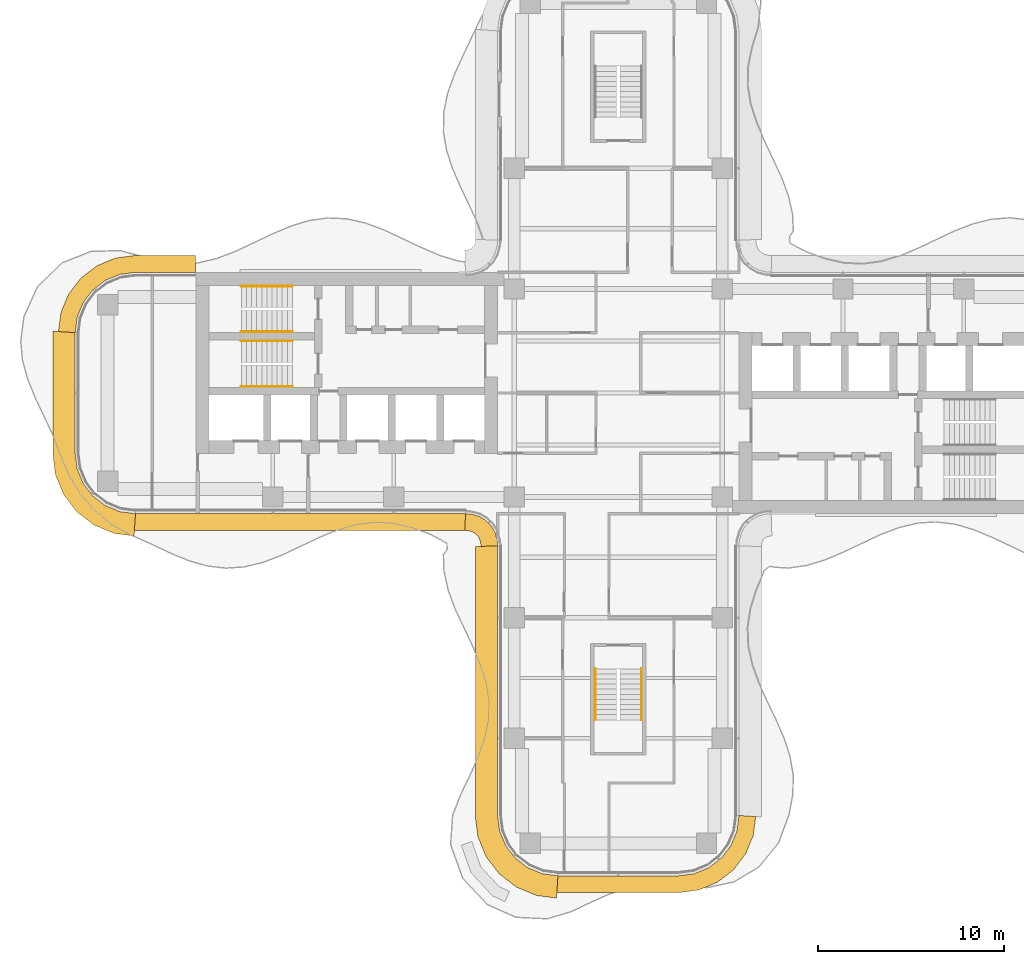
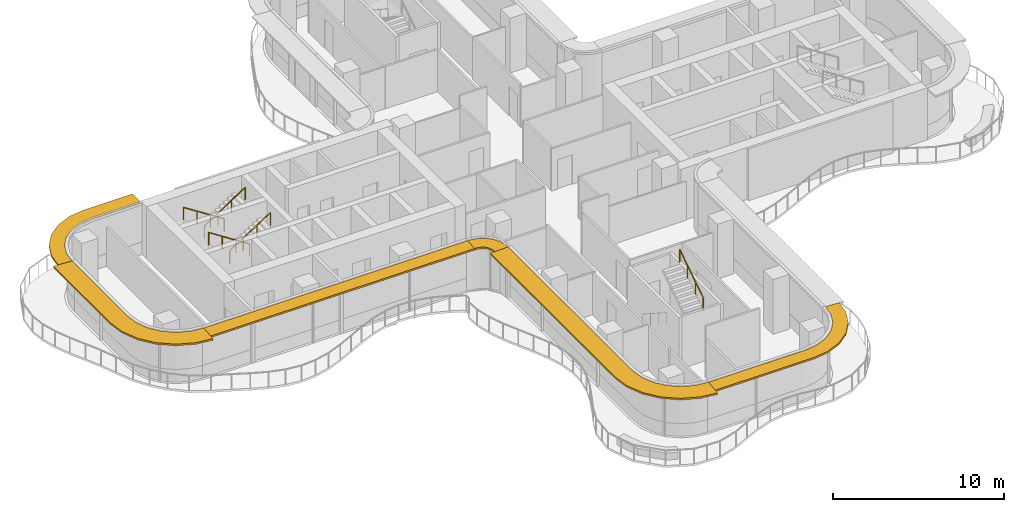
# One storey, part 16 of 17: 6 railings, 6 shading devices.
"""IFC4 building model written with IfcOpenShell, lengths in metres."""

import ifcopenshell
import ifcopenshell.guid

model = None  # the IFC model being written
_history = None  # IfcOwnerHistory: only IFC2X3 demands one
_inside = {}  # id of a spatial element -> (the spatial element, [elements in it])
_under = {}  # id of a project, library or spatial element -> (it, [spatial elements below it])
_declared = {}  # id of a project -> (the project, [libraries it declares])
_typed = {}  # id of a type object -> (the type object, [elements of that type])
_made_of = {}  # id of a material, layer set ... -> (it, [elements and type objects made of it])


def new_model(schema):
    """Start an empty IFC model of exactly this schema.

    Asked for "IFC4X3", IfcOpenShell would pick the latest addendum, in which some entities
    have other attributes; the version numbers below select the first issue.
    IFC2X3 requires an IfcOwnerHistory on every rooted entity: one is made here for all.
    """
    global model, _history
    if schema == "IFC4X3":
        model = ifcopenshell.file(schema_version=(4, 3, 0, 0))
    else:
        model = ifcopenshell.file(schema=schema)
    _inside.clear()
    _under.clear()
    _declared.clear()
    _typed.clear()
    _made_of.clear()
    _history = None
    if model.schema == "IFC2X3":
        org = make("IfcOrganization", Name="unknown")
        user = make(
            "IfcPersonAndOrganization",
            ThePerson=make("IfcPerson", FamilyName="unknown"),
            TheOrganization=org,
        )
        app = make(
            "IfcApplication",
            ApplicationDeveloper=org,
            Version="unknown",
            ApplicationFullName="unknown",
            ApplicationIdentifier="unknown",
        )
        _history = make(
            "IfcOwnerHistory",
            OwningUser=user,
            OwningApplication=app,
            ChangeAction="ADDED",
            CreationDate=0,
        )
    return model


def make(cls, **values):
    """One entity of the class cls with the attributes given. An attribute that is None is left unset."""
    return model.create_entity(
        cls, **{name: value for name, value in values.items() if value is not None}
    )


def rooted(cls, **values):
    """An entity with a GlobalId (a new one), such as an element, a storey or a relation."""
    return make(cls, GlobalId=ifcopenshell.guid.new(), OwnerHistory=_history, **values)


def si_unit(unit_type, name, prefix=None):
    """IfcSIUnit, for example si_unit("LENGTHUNIT", "METRE", prefix="MILLI")."""
    return make("IfcSIUnit", UnitType=unit_type, Prefix=prefix, Name=name)


def assignment(units):
    """IfcUnitAssignment: the units of a project."""
    return None if units is None else make("IfcUnitAssignment", Units=units)


def point(xyz):
    """IfcCartesianPoint."""
    return None if xyz is None else make("IfcCartesianPoint", Coordinates=xyz)


def direction(xyz):
    """IfcDirection."""
    return None if xyz is None else make("IfcDirection", DirectionRatios=xyz)


def frame(location, z_axis=None, x_axis=None):
    """IfcAxis2Placement3D, a coordinate frame: its origin and axes. An axis left out is left unset."""
    return make(
        "IfcAxis2Placement3D",
        Location=point(location),
        Axis=direction(z_axis),
        RefDirection=direction(x_axis),
    )


def frame_2d(location, x_axis=None):
    """IfcAxis2Placement2D, a coordinate frame in the plane: its origin and x axis."""
    return make(
        "IfcAxis2Placement2D", Location=point(location), RefDirection=direction(x_axis)
    )


def origin():
    """The frame at (0, 0, 0) with its axes left unset."""
    return frame((0.0, 0.0, 0.0))


def origin_2d():
    """The frame at (0, 0) in the plane with its x axis left unset."""
    return frame_2d((0.0, 0.0))


def place(relative_to, where):
    """IfcLocalPlacement: puts the frame where relative to a parent placement (None: the world)."""
    return make(
        "IfcLocalPlacement", PlacementRelTo=relative_to, RelativePlacement=where
    )


def context(
    kind, dimensions, precision=None, world=None, true_north=None, identifier=None
):
    """IfcGeometricRepresentationContext, for example the 3D "Model" context."""
    return make(
        "IfcGeometricRepresentationContext",
        ContextIdentifier=identifier,
        ContextType=kind,
        CoordinateSpaceDimension=dimensions,
        Precision=precision,
        WorldCoordinateSystem=world,
        TrueNorth=true_north,
    )


def subcontext(parent, identifier, kind, view, scale=None):
    """IfcGeometricRepresentationSubContext, for example "Body" below "Model"."""
    return make(
        "IfcGeometricRepresentationSubContext",
        ContextIdentifier=identifier,
        ContextType=kind,
        ParentContext=parent,
        TargetScale=scale,
        TargetView=view,
    )


def project(units=None, contexts=None):
    """IfcProject with its units and contexts."""
    return rooted(
        "IfcProject",
        Name="project",
        RepresentationContexts=contexts,
        UnitsInContext=assignment(units),
    )


def spatial(cls, under=None, at=None, **own):
    """A site, building, storey or space (cls), placed at a placement, below another one or the project."""
    s = rooted(cls, ObjectPlacement=at, **own)
    if under is not None:
        _under.setdefault(under.id(), (under, []))[1].append(s)
    return s


def polyline(points):
    """IfcPolyline through the points."""
    return make("IfcPolyline", Points=[point(p) for p in points])


def profile(cls, at=None, kind="AREA", **sizes):
    """A parametric profile (cls). Its sizes go by their IFC names, for example OverallWidth=200.0."""
    return make(cls, ProfileType=kind, Position=at, **sizes)


def circle(**sizes):
    """IfcCircleProfileDef."""
    return profile("IfcCircleProfileDef", **sizes)


def outline(outer, holes=None, kind="AREA"):
    """IfcArbitraryClosedProfileDef: a profile drawn as a closed curve; with holes, ...WithVoids."""
    if holes is None:
        return make("IfcArbitraryClosedProfileDef", ProfileType=kind, OuterCurve=outer)
    return make(
        "IfcArbitraryProfileDefWithVoids",
        ProfileType=kind,
        OuterCurve=outer,
        InnerCurves=holes,
    )


def extrude(swept, where, along, depth):
    """IfcExtrudedAreaSolid: the profile swept, set in the frame where, extruded along a direction by depth."""
    return make(
        "IfcExtrudedAreaSolid",
        SweptArea=swept,
        Position=where,
        ExtrudedDirection=direction(along),
        Depth=depth,
    )


def shape(context_of_items, identifier, shape_type, items):
    """IfcShapeRepresentation: the items that make up one representation, for example the "Body"."""
    return make(
        "IfcShapeRepresentation",
        ContextOfItems=context_of_items,
        RepresentationIdentifier=identifier,
        RepresentationType=shape_type,
        Items=items,
    )


def source(mapping_origin, context_of_items, identifier, shape_type, items):
    """IfcRepresentationMap: a shape defined once, which mapped items show again and again."""
    return make(
        "IfcRepresentationMap",
        MappingOrigin=mapping_origin,
        MappedRepresentation=shape(context_of_items, identifier, shape_type, items),
    )


def transform(
    local_origin,
    x_axis=None,
    y_axis=None,
    z_axis=None,
    scale=None,
    scale2=None,
    scale3=None,
    uniform=True,
):
    """IfcCartesianTransformationOperator3D, or its non-uniform kind. x_axis, y_axis, z_axis: its Axis1, 2, 3."""
    if uniform:
        return make(
            "IfcCartesianTransformationOperator3D",
            Axis1=direction(x_axis),
            Axis2=direction(y_axis),
            LocalOrigin=point(local_origin),
            Scale=scale,
            Axis3=direction(z_axis),
        )
    return make(
        "IfcCartesianTransformationOperator3DnonUniform",
        Axis1=direction(x_axis),
        Axis2=direction(y_axis),
        LocalOrigin=point(local_origin),
        Scale=scale,
        Axis3=direction(z_axis),
        Scale2=scale2,
        Scale3=scale3,
    )


def mapped(mapping_source, mapping_target):
    """IfcMappedItem: shows the shape of a source again, moved by a transform."""
    return make(
        "IfcMappedItem", MappingSource=mapping_source, MappingTarget=mapping_target
    )


def material(Name=None, Category=None):
    """IfcMaterial."""
    return make("IfcMaterial", Name=Name, Category=Category)


def layer(
    of_material, thickness, ventilated=None, Name=None, Category=None, Priority=None
):
    """IfcMaterialLayer: one layer of a wall or slab, of a material (None: an air gap)."""
    return make(
        "IfcMaterialLayer",
        Material=of_material,
        LayerThickness=thickness,
        IsVentilated=ventilated,
        Name=Name,
        Category=Category,
        Priority=Priority,
    )


def layer_set(layers, Name=None):
    """IfcMaterialLayerSet."""
    return make("IfcMaterialLayerSet", MaterialLayers=layers, LayerSetName=Name)


def made_of(thing, what):
    """Note that an element or type object is made of a material, layer set ...; save() writes the relation."""
    if what is not None:
        _made_of.setdefault(what.id(), (what, []))[1].append(thing)
    return thing


def type_object(cls, material=None, **own):
    """A type object (cls), such as IfcWallType, which elements share."""
    return made_of(rooted(cls, **own), material)


def element(
    cls,
    number,
    at=None,
    inside=None,
    cuts=None,
    type_object=None,
    material=None,
    context=None,
    identifier="Body",
    shape_type=None,
    held_by="IfcProductDefinitionShape",
    body=None,
    shapes=None,
    **own,
):
    """One element of the class cls, such as IfcWall. Its Tag is "e" and its number.

    at: its placement. inside: the storey or other place that contains it. cuts: it is an
    opening in that element (IfcRelVoidsElement). A single representation is given by context,
    identifier, shape_type and body (its items); several are given by shapes. held_by: the class
    of the entity that holds the representations. save() writes the other relations.
    """
    e = rooted(cls, Tag="e%d" % number, ObjectPlacement=at, **own)
    if body is not None:
        shapes = [shape(context, identifier, shape_type, body)]
    if shapes is not None:
        e.Representation = make(held_by, Representations=shapes)
    if inside is not None:
        _inside.setdefault(inside.id(), (inside, []))[1].append(e)
    if cuts is not None:
        rooted(
            "IfcRelVoidsElement", RelatingBuildingElement=cuts, RelatedOpeningElement=e
        )
    if type_object is not None:
        _typed.setdefault(type_object.id(), (type_object, []))[1].append(e)
    return made_of(e, material)


def aggregate(whole, parts):
    """IfcRelAggregates: a whole, such as a stair, and the parts it consists of."""
    return rooted("IfcRelAggregates", RelatingObject=whole, RelatedObjects=parts)


def save(model, path):
    """Write the relations noted so far, then the file.

    IfcRelAggregates (storeys below a building ...), IfcRelContainedInSpatialStructure (elements
    in a storey), IfcRelDefinesByType, IfcRelAssociatesMaterial and IfcRelDeclares: one each for
    every whole, place, type object, material and project.
    """
    for whole, parts in _under.values():
        aggregate(whole, parts)
    for where, things in _inside.values():
        rooted(
            "IfcRelContainedInSpatialStructure",
            RelatedElements=things,
            RelatingStructure=where,
        )
    for kind, things in _typed.values():
        rooted("IfcRelDefinesByType", RelatedObjects=things, RelatingType=kind)
    for what, things in _made_of.values():
        rooted("IfcRelAssociatesMaterial", RelatedObjects=things, RelatingMaterial=what)
    for by, libraries in _declared.values():
        rooted("IfcRelDeclares", RelatingContext=by, RelatedDefinitions=libraries)
    model.write(path)


model = new_model("IFC4")

# Units and contexts
model_context = context("Model", 3, precision=1e-05, world=origin(), true_north=direction((0.0, 1.0)))
body_context = subcontext(model_context, "Body", "Model", "MODEL_VIEW")
ifc_project = project(units=[si_unit("LENGTHUNIT", "METRE"), si_unit("AREAUNIT", "SQUARE_METRE"), si_unit("VOLUMEUNIT", "CUBIC_METRE"), si_unit("PLANEANGLEUNIT", "RADIAN"), si_unit("MASSUNIT", "GRAM", prefix="KILO")], contexts=[model_context])

# Site, building, storey
site_placement = place(None, origin())
site = spatial("IfcSite", under=ifc_project, at=site_placement, CompositionType="ELEMENT")
building_placement = place(site_placement, origin())
building = spatial("IfcBuilding", under=site, at=building_placement, Name="Trellis Farm Tower", CompositionType="ELEMENT")
storey_placement = place(building_placement, frame((0.0, 0.0, 232.39990234375)))
storey = spatial("IfcBuildingStorey", under=building, at=storey_placement, Name="L51", CompositionType="ELEMENT", Elevation=232.39990234375)

# Railings
ifc_material_1 = material(Name="Stainless steel", Category="steel")
railing_type = type_object("IfcRailingType", Name="STAIR HANDRAIL 900", PredefinedType="HANDRAIL", material=ifc_material_1)
shared_shape_1 = source(origin(), body_context, "Body", "SweptSolid", [
    extrude(circle(Radius=0.02392578125, at=origin_2d()), frame((0.0, 0.0, 0.8759765625), z_axis=(0.0, 0.840503830235, 0.541805602924), x_axis=(-1.0, 0.0, 0.0)), (0.0, 0.0, 1.0), 3.271728515625),
    extrude(circle(Radius=0.02099609375, at=origin_2d()), origin(), (0.0, 0.0, 1.0), 0.851806640625),
    extrude(circle(Radius=0.02099609375, at=origin_2d()), frame((0.0, 0.916748046875, 0.5908203125)), (0.0, 0.0, 1.0), 0.851806640625),
    extrude(circle(Radius=0.02099609375, at=origin_2d()), frame((0.0, 1.833251953125, 1.181884765625)), (0.0, 0.0, 1.0), 0.851806640625),
    extrude(circle(Radius=0.02099609375, at=origin_2d()), frame((0.0, 2.75, 1.772705078125)), (0.0, 0.0, 1.0), 0.851806640625),
])
railing_1_placement = place(storey_placement, frame((1.25, -17.60009765625, 2.12744140625)))
element("IfcRailing", 1, at=railing_1_placement, inside=storey, type_object=railing_type, Name="Stair handrail", PredefinedType="HANDRAIL", context=body_context, shape_type="MappedRepresentation", body=[
    mapped(shared_shape_1, transform((0.0, 0.0, 0.0))),
])
shared_shape_2 = source(origin(), body_context, "Body", "SweptSolid", [
    extrude(circle(Radius=0.02392578125, at=origin_2d()), frame((0.0, 0.0, 0.8759765625), z_axis=(0.0, -0.840503830235, 0.541805602924), x_axis=(1.0, 0.0, 0.0)), (0.0, 0.0, 1.0), 3.271728515625),
    extrude(circle(Radius=0.02099609375, at=origin_2d()), origin(), (0.0, 0.0, 1.0), 0.851806640625),
    extrude(circle(Radius=0.02099609375, at=origin_2d()), frame((0.0, -0.916748046875, 0.5908203125)), (0.0, 0.0, 1.0), 0.851806640625),
    extrude(circle(Radius=0.02099609375, at=origin_2d()), frame((0.0, -1.833251953125, 1.181884765625)), (0.0, 0.0, 1.0), 0.851806640625),
    extrude(circle(Radius=0.02099609375, at=origin_2d()), frame((0.0, -2.75, 1.772705078125)), (0.0, 0.0, 1.0), 0.851806640625),
])
railing_2_placement = place(storey_placement, frame((-1.25, -14.85009765625, 0.177490234375)))
element("IfcRailing", 2, at=railing_2_placement, inside=storey, type_object=railing_type, Name="Stair handrail", PredefinedType="HANDRAIL", context=body_context, shape_type="MappedRepresentation", body=[
    mapped(shared_shape_2, transform((0.0, 0.0, 0.0))),
])
shared_shape_3 = source(origin(), body_context, "Body", "SweptSolid", [
    extrude(circle(Radius=0.02392578125, at=origin_2d()), frame((0.0, 0.0, 0.8759765625), z_axis=(0.840503830235, 0.0, 0.541805602924), x_axis=(0.0, 1.0, 0.0)), (0.0, 0.0, 1.0), 3.271728515625),
    extrude(circle(Radius=0.02099609375, at=origin_2d()), origin(), (0.0, 0.0, 1.0), 0.851806640625),
    extrude(circle(Radius=0.02099609375, at=origin_2d()), frame((0.916748046875, 0.0, 0.5908203125)), (0.0, 0.0, 1.0), 0.851806640625),
    extrude(circle(Radius=0.02099609375, at=origin_2d()), frame((1.833251953125, 0.0, 1.181884765625)), (0.0, 0.0, 1.0), 0.851806640625),
    extrude(circle(Radius=0.02099609375, at=origin_2d()), frame((2.75, 0.0, 1.772705078125)), (0.0, 0.0, 1.0), 0.851806640625),
])
for number, where, name in (
    (3, (-20.300048828125, 3.300048828125, 2.12744140625), "Stair handrail"),
    (4, (-20.300048828125, 0.35009765625, 2.12744140625), "Stair handrail"),
):
    element("IfcRailing", number, at=place(storey_placement, frame(where)), inside=storey, type_object=railing_type, Name=name, PredefinedType="HANDRAIL", context=body_context, shape_type="MappedRepresentation", body=[
        mapped(shared_shape_3, transform((0.0, 0.0, 0.0))),
    ])
shared_shape_4 = source(origin(), body_context, "Body", "SweptSolid", [
    extrude(circle(Radius=0.02392578125, at=origin_2d()), frame((0.0, 0.0, 0.8759765625), z_axis=(-0.840503830235, 0.0, 0.541805602924), x_axis=(0.0, -1.0, 0.0)), (0.0, 0.0, 1.0), 3.271728515625),
    extrude(circle(Radius=0.02099609375, at=origin_2d()), origin(), (0.0, 0.0, 1.0), 0.851806640625),
    extrude(circle(Radius=0.02099609375, at=origin_2d()), frame((-0.916748046875, 0.0, 0.5908203125)), (0.0, 0.0, 1.0), 0.851806640625),
    extrude(circle(Radius=0.02099609375, at=origin_2d()), frame((-1.833251953125, 0.0, 1.181884765625)), (0.0, 0.0, 1.0), 0.851806640625),
    extrude(circle(Radius=0.02099609375, at=origin_2d()), frame((-2.75, 0.0, 1.772705078125)), (0.0, 0.0, 1.0), 0.851806640625),
])
for number, where, name in (
    (5, (-17.550048828125, 5.75, 0.177490234375), "Stair handrail"),
    (6, (-17.550048828125, 2.800048828125, 0.177490234375), "Stair handrail"),
):
    element("IfcRailing", number, at=place(storey_placement, frame(where)), inside=storey, type_object=railing_type, Name=name, PredefinedType="HANDRAIL", context=body_context, shape_type="MappedRepresentation", body=[
        mapped(shared_shape_4, transform((0.0, 0.0, 0.0))),
    ])

# Shading devices
ifc_material_2 = material(Name="Aluminium extrusion 6063-T6", Category="aluminium")
ifc_layer_1 = layer(ifc_material_2, 0.1201171875)
ifc_layer_set_1 = layer_set([ifc_layer_1], Name="SUNSHADE BLADE 900")
shading_device_type_1 = type_object("IfcShadingDeviceType", Name="SUNSHADE BLADE 900", PredefinedType="USERDEFINED", material=ifc_layer_set_1)
shared_shape_5 = source(origin(), body_context, "Body", "SweptSolid", [
    extrude(outline(polyline([(-8.2607421875, -7.39990234375), (-8.107666015625, -7.409912109375), (-8.091552734375, -7.412109375), (-7.85595703125, -7.475341796875), (-7.697021484375, -7.567138671875), (-7.567138671875, -7.697021484375), (-7.475341796875, -7.85595703125), (-7.412109375, -8.091552734375), (-7.409912109375, -8.107666015625), (-7.39990234375, -8.2607421875), (-6.5, -8.2314453125), (-6.513916015625, -8.01953125), (-6.527587890625, -7.91552734375), (-6.63671875, -7.508544921875), (-6.846923828125, -7.144287109375), (-7.144287109375, -6.846923828125), (-7.508544921875, -6.63671875), (-7.91552734375, -6.527587890625), (-8.01953125, -6.513916015625), (-8.2314453125, -6.5), (-8.2607421875, -7.39990234375)])), origin(), (0.0, 0.0, 1.0), 0.1201171875),
])
placement = place(storey_placement, frame((0.0, 0.0, 3.5400390625)))
element("IfcShadingDevice", 7, at=placement, inside=storey, type_object=shading_device_type_1, Name="SD1 002", ObjectType="SUNSHADE", PredefinedType="USERDEFINED", context=body_context, shape_type="MappedRepresentation", body=[
    mapped(shared_shape_5, transform((0.0, 0.0, 0.0))),
])
ifc_layer_2 = layer(ifc_material_2, 0.1201171875)
ifc_layer_set_2 = layer_set([ifc_layer_2], Name="SUNSHADE BLADE 1200")
shading_device_type_2 = type_object("IfcShadingDeviceType", Name="SUNSHADE BLADE 1200", PredefinedType="USERDEFINED", material=ifc_layer_set_2)
shared_shape_6 = source(origin(), body_context, "Body", "SweptSolid", [
    extrude(outline(polyline([(-7.699951171875, -8.270751953125), (-7.699951171875, -22.82861328125), (-7.558349609375, -23.904541015625), (-7.11279296875, -24.980224609375), (-6.404052734375, -25.904052734375), (-5.480224609375, -26.61279296875), (-4.404541015625, -27.058349609375), (-3.32861328125, -27.199951171875), (-3.25, -26.0), (-4.091064453125, -25.88916015625), (-4.875, -25.564697265625), (-5.548095703125, -25.048095703125), (-6.064697265625, -24.375), (-6.38916015625, -23.591064453125), (-6.5, -22.75), (-6.5, -8.2314453125), (-7.699951171875, -8.270751953125)])), origin(), (0.0, 0.0, 1.0), 0.1201171875),
])
element("IfcShadingDevice", 8, at=placement, inside=storey, type_object=shading_device_type_2, Name="SD2 003", ObjectType="SUNSHADE", PredefinedType="USERDEFINED", context=body_context, shape_type="MappedRepresentation", body=[
    mapped(shared_shape_6, transform((0.0, 0.0, 0.0))),
])
shared_shape_7 = source(origin(), body_context, "Body", "SweptSolid", [
    extrude(outline(polyline([(-3.30908203125, -26.89990234375), (3.30908203125, -26.89990234375), (4.326171875, -26.76611328125), (5.328857421875, -26.350830078125), (6.18994140625, -25.68994140625), (6.850830078125, -24.828857421875), (7.26611328125, -23.826171875), (7.39990234375, -22.80908203125), (6.5, -22.75), (6.38916015625, -23.591064453125), (6.064697265625, -24.375), (5.548095703125, -25.048095703125), (4.875, -25.564697265625), (4.091064453125, -25.88916015625), (3.25, -26.0), (-3.25, -26.0), (-3.30908203125, -26.89990234375)])), origin(), (0.0, 0.0, 1.0), 0.1201171875),
])
element("IfcShadingDevice", 9, at=placement, inside=storey, type_object=shading_device_type_1, Name="SD1 004", ObjectType="SUNSHADE", PredefinedType="USERDEFINED", context=body_context, shape_type="MappedRepresentation", body=[
    mapped(shared_shape_7, transform((0.0, 0.0, 0.0))),
])
shared_shape_8 = source(origin(), body_context, "Body", "SweptSolid", [
    extrude(outline(polyline([(-26.05908203125, -7.39990234375), (-8.2607421875, -7.39990234375), (-8.2314453125, -6.5), (-26.0, -6.5), (-26.05908203125, -7.39990234375)])), origin(), (0.0, 0.0, 1.0), 0.1201171875),
])
element("IfcShadingDevice", 10, at=placement, inside=storey, type_object=shading_device_type_1, Name="SD1 001", ObjectType="SUNSHADE", PredefinedType="USERDEFINED", context=body_context, shape_type="MappedRepresentation", body=[
    mapped(shared_shape_8, transform((0.0, 0.0, 0.0))),
])
shared_shape_9 = source(origin(), body_context, "Body", "SweptSolid", [
    extrude(outline(polyline([(-22.780029296875, 7.39990234375), (-26.05908203125, 7.39990234375), (-27.076171875, 7.26611328125), (-28.078857421875, 6.850830078125), (-28.93994140625, 6.18994140625), (-29.600830078125, 5.328857421875), (-30.01611328125, 4.326171875), (-30.14990234375, 3.30908203125), (-29.25, 3.25), (-29.13916015625, 4.091064453125), (-28.814697265625, 4.875), (-28.298095703125, 5.548095703125), (-27.625, 6.064697265625), (-26.841064453125, 6.38916015625), (-26.0, 6.5), (-22.780029296875, 6.5), (-22.780029296875, 7.39990234375)])), origin(), (0.0, 0.0, 1.0), 0.1201171875),
])
element("IfcShadingDevice", 11, at=placement, inside=storey, type_object=shading_device_type_1, Name="SD1 015", ObjectType="SUNSHADE", PredefinedType="USERDEFINED", context=body_context, shape_type="MappedRepresentation", body=[
    mapped(shared_shape_9, transform((0.0, 0.0, 0.0))),
])
shared_shape_10 = source(origin(), body_context, "Body", "SweptSolid", [
    extrude(outline(polyline([(-30.449951171875, 3.32861328125), (-30.449951171875, -3.32861328125), (-30.308349609375, -4.404541015625), (-29.86279296875, -5.480224609375), (-29.154052734375, -6.404052734375), (-28.230224609375, -7.11279296875), (-27.154541015625, -7.558349609375), (-26.07861328125, -7.699951171875), (-26.0, -6.5), (-26.841064453125, -6.38916015625), (-27.625, -6.064697265625), (-28.298095703125, -5.548095703125), (-28.814697265625, -4.875), (-29.13916015625, -4.091064453125), (-29.25, -3.25), (-29.25, 3.25), (-30.449951171875, 3.32861328125)])), origin(), (0.0, 0.0, 1.0), 0.1201171875),
])
element("IfcShadingDevice", 12, at=placement, inside=storey, type_object=shading_device_type_2, Name="SD2 016", ObjectType="SUNSHADE", PredefinedType="USERDEFINED", context=body_context, shape_type="MappedRepresentation", body=[
    mapped(shared_shape_10, transform((0.0, 0.0, 0.0))),
])

save(model, "model.ifc")
